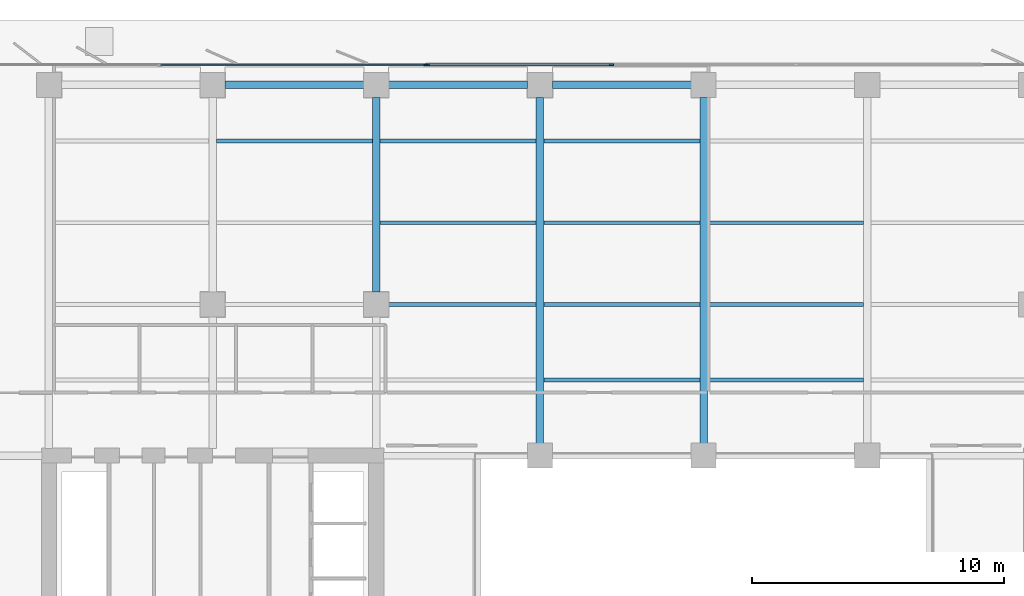
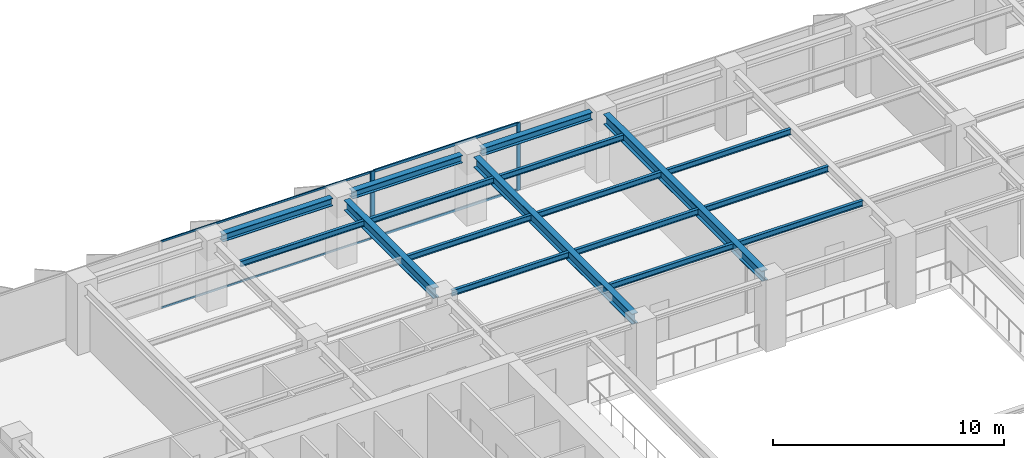
# One storey, part 9 of 22: 17 beams, 7 members, 2 elements without a shape of their own.
"""IFC4 building model written with IfcOpenShell, lengths in metres."""

from ifc_helpers import new_model, si_unit, direction, frame, origin, origin_2d, place, context, subcontext, project, spatial, rectangle, i_section, extrude, material, layer, layer_set, material_profile, profile_set, type_object, element, aggregate, save


model = new_model("IFC4")

# Units and contexts
model_context = context("Model", 3, precision=1e-05, world=origin(), true_north=direction((0.0, 1.0)))
body_context = subcontext(model_context, "Body", "Model", "MODEL_VIEW")
ifc_project = project(units=[si_unit("LENGTHUNIT", "METRE"), si_unit("AREAUNIT", "SQUARE_METRE"), si_unit("VOLUMEUNIT", "CUBIC_METRE"), si_unit("PLANEANGLEUNIT", "RADIAN"), si_unit("MASSUNIT", "GRAM", prefix="KILO")], contexts=[model_context])

# Site, building, storey
site_placement = place(None, origin())
site = spatial("IfcSite", under=ifc_project, at=site_placement, CompositionType="ELEMENT")
building_placement = place(site_placement, origin())
building = spatial("IfcBuilding", under=site, at=building_placement, Name="Putna Gate Headquarters", CompositionType="ELEMENT")
storey_placement = place(building_placement, frame((0.0, 0.0, 144.199951171875)))
storey = spatial("IfcBuildingStorey", under=building, at=storey_placement, Name="L35", CompositionType="ELEMENT", Elevation=144.199951171875)

# Beams
ifc_material_1 = material(Name="Steel S355J2", Category="steel")
ifc_material_profile_1 = material_profile(ifc_material_1, i_section(OverallWidth=0.300048828125, OverallDepth=0.550048828125, WebThickness=0.014892578125, FlangeThickness=0.029052734375, at=origin_2d()), Name="Steel S355J2")
ifc_profile_set_1 = profile_set([ifc_material_profile_1], Name="Steel S355J2")
beam_type_1 = type_object("IfcBeamType", Name="BM-GIRD-Z3-HEB550", PredefinedType="USERDEFINED", material=ifc_profile_set_1)
beam_1_placement = place(storey_placement, frame((26.0, 39.488037109375, 3.297119140625), z_axis=(0.0, 1.0, 0.0), x_axis=(-1.0, 0.0, 0.0)))
element("IfcBeam", 1, at=beam_1_placement, inside=storey, type_object=beam_type_1, Name="L35 North Primary Girder X26-2", ObjectType="GIRDER", PredefinedType="USERDEFINED", context=body_context, shape_type="SweptSolid", body=[
    extrude(i_section(OverallWidth=0.300048828125, OverallDepth=0.550048828125, WebThickness=0.014892578125, FlangeThickness=0.029052734375, at=origin_2d()), origin(), (0.0, 0.0, 1.0), 7.743896484375),
])
for number, where, z_axis, x_axis, name in (
    (2, (32.5, 33.488037109375, 3.297119140625), (0.0, 1.0, 0.0), (-1.0, 0.0, 0.0), "L35 North Primary Girder X32"),
    (3, (39.0, 33.488037109375, 3.297119140625), (0.0, 1.0, 0.0), (-1.0, 0.0, 0.0), "L35 North Primary Girder X39"),
):
    element("IfcBeam", number, at=place(storey_placement, frame(where, z_axis=z_axis, x_axis=x_axis)), inside=storey, type_object=beam_type_1, Name=name, ObjectType="GIRDER", PredefinedType="USERDEFINED", context=body_context, shape_type="SweptSolid", body=[
        extrude(i_section(OverallWidth=0.300048828125, OverallDepth=0.550048828125, WebThickness=0.014892578125, FlangeThickness=0.029052734375, at=origin_2d()), origin(), (0.0, 0.0, 1.0), 13.743896484375),
    ])
ifc_material_profile_2 = material_profile(ifc_material_1, i_section(OverallWidth=0.14990234375, OverallDepth=0.300048828125, WebThickness=0.007080078125, FlangeThickness=0.0107421875, at=origin_2d()), Name="Steel S355J2")
ifc_profile_set_2 = profile_set([ifc_material_profile_2], Name="Steel S355J2")
beam_type_2 = type_object("IfcBeamType", Name="BM-SEC-Z3-IPE300", PredefinedType="JOIST", material=ifc_profile_set_2)
beam_2_placement = place(storey_placement, frame((19.654052734375, 45.5, 3.422119140625), z_axis=(1.0, 0.0, 0.0), x_axis=(0.0, 1.0, 0.0)))
element("IfcBeam", 4, at=beam_2_placement, inside=storey, type_object=beam_type_2, Name="L35 North Secondary Beam 2", PredefinedType="JOIST", context=body_context, shape_type="SweptSolid", body=[
    extrude(i_section(OverallWidth=0.14990234375, OverallDepth=0.300048828125, WebThickness=0.007080078125, FlangeThickness=0.0107421875, at=origin_2d()), origin(), (0.0, 0.0, 1.0), 6.19189453125),
])
beam_3_placement = place(storey_placement, frame((26.488037109375, 39.0, 3.422119140625), z_axis=(1.0, 0.0, 0.0), x_axis=(0.0, 1.0, 0.0)))
element("IfcBeam", 5, at=beam_3_placement, inside=storey, type_object=beam_type_2, Name="L35 North Secondary Beam 3", PredefinedType="JOIST", context=body_context, shape_type="SweptSolid", body=[
    extrude(i_section(OverallWidth=0.14990234375, OverallDepth=0.300048828125, WebThickness=0.007080078125, FlangeThickness=0.0107421875, at=origin_2d()), origin(), (0.0, 0.0, 1.0), 5.85791015625),
])
for number, where, z_axis, x_axis, name in (
    (6, (26.154052734375, 42.25, 3.422119140625), (1.0, 0.0, 0.0), (0.0, 1.0, 0.0), "L35 North Secondary Beam 3"),
    (7, (26.154052734375, 45.5, 3.422119140625), (1.0, 0.0, 0.0), (0.0, 1.0, 0.0), "L35 North Secondary Beam 3"),
    (8, (32.654052734375, 36.0, 3.422119140625), (1.0, 0.0, 0.0), (0.0, 1.0, 0.0), "L35 North Secondary Beam 4"),
    (9, (32.654052734375, 39.0, 3.422119140625), (1.0, 0.0, 0.0), (0.0, 1.0, 0.0), "L35 North Secondary Beam 4"),
    (10, (32.654052734375, 42.25, 3.422119140625), (1.0, 0.0, 0.0), (0.0, 1.0, 0.0), "L35 North Secondary Beam 4"),
    (11, (32.654052734375, 45.5, 3.422119140625), (1.0, 0.0, 0.0), (0.0, 1.0, 0.0), "L35 North Secondary Beam 4"),
    (12, (39.154052734375, 36.0, 3.422119140625), (1.0, 0.0, 0.0), (0.0, 1.0, 0.0), "L35 North Secondary Beam 5"),
    (13, (39.154052734375, 39.0, 3.422119140625), (1.0, 0.0, 0.0), (0.0, 1.0, 0.0), "L35 North Secondary Beam 5"),
    (14, (39.154052734375, 42.25, 3.422119140625), (1.0, 0.0, 0.0), (0.0, 1.0, 0.0), "L35 North Secondary Beam 5"),
):
    element("IfcBeam", number, at=place(storey_placement, frame(where, z_axis=z_axis, x_axis=x_axis)), inside=storey, type_object=beam_type_2, Name=name, PredefinedType="JOIST", context=body_context, shape_type="SweptSolid", body=[
        extrude(i_section(OverallWidth=0.14990234375, OverallDepth=0.300048828125, WebThickness=0.007080078125, FlangeThickness=0.0107421875, at=origin_2d()), origin(), (0.0, 0.0, 1.0), 6.19189453125),
    ])
ifc_material_profile_3 = material_profile(ifc_material_1, i_section(OverallWidth=0.300048828125, OverallDepth=0.39990234375, WebThickness=0.013427734375, FlangeThickness=0.02392578125, at=origin_2d()), Name="Steel S355J2")
ifc_profile_set_3 = profile_set([ifc_material_profile_3], Name="Steel S355J2")
beam_type_3 = type_object("IfcBeamType", Name="BM-SPAN-Z3-HEB400", PredefinedType="SPANDREL", material=ifc_profile_set_3)
for number, where, z_axis, x_axis, name in (
    (15, (19.988037109375, 47.719970703125, 3.3720703125), (1.0, 0.0, 0.0), (0.0, 1.0, 0.0), "L35 N Perimeter Spandrel 2"),
    (16, (26.488037109375, 47.719970703125, 3.3720703125), (1.0, 0.0, 0.0), (0.0, 1.0, 0.0), "L35 N Perimeter Spandrel 3"),
    (17, (32.988037109375, 47.719970703125, 3.3720703125), (1.0, 0.0, 0.0), (0.0, 1.0, 0.0), "L35 N Perimeter Spandrel 4"),
):
    element("IfcBeam", number, at=place(storey_placement, frame(where, z_axis=z_axis, x_axis=x_axis)), inside=storey, type_object=beam_type_3, Name=name, PredefinedType="SPANDREL", context=body_context, shape_type="SweptSolid", body=[
        extrude(i_section(OverallWidth=0.300048828125, OverallDepth=0.39990234375, WebThickness=0.013427734375, FlangeThickness=0.02392578125, at=origin_2d()), origin(), (0.0, 0.0, 1.0), 5.52392578125),
    ])

# Curtain wall, member
ifc_material_2 = material(Name="Anodised bronze aluminium curtain wall", Category="aluminium")
ifc_layer_1 = layer(ifc_material_2, 0.159912109375)
ifc_layer_set_1 = layer_set([ifc_layer_1], Name="Anodised bronze aluminium curtain wall")
curtain_wall_type_1 = type_object("IfcCurtainWallType", Name="CW-SYS-Z3", PredefinedType="USERDEFINED", material=ifc_layer_set_1)
curtain_wall_1_placement = place(storey_placement, origin())
curtain_wall_1 = element("IfcCurtainWall", 18, at=curtain_wall_1_placement, inside=storey, type_object=curtain_wall_type_1, Name="L35 North West Curtain Wall", ObjectType="STICK CURTAIN WALL", PredefinedType="USERDEFINED")
ifc_material_3 = material(Name="Anodised bronze aluminium EN AW-6060", Category="aluminium")
ifc_material_profile_4 = material_profile(ifc_material_3, rectangle(XDim=0.06494140625, YDim=0.159912109375, at=origin_2d()), Name="Anodised bronze aluminium EN AW-6060")
ifc_profile_set_4 = profile_set([ifc_material_profile_4], Name="Anodised bronze aluminium EN AW-6060")
member_type_1 = type_object("IfcMemberType", Name="MULL-CWM-3", PredefinedType="MULLION", material=ifc_profile_set_4)
member_1_placement = place(storey_placement, frame((27.967529296875, 48.52001953125, 0.0), z_axis=(0.0, 0.0, 1.0), x_axis=(0.0, 1.0, 0.0)))
member_1 = element("IfcMember", 19, at=member_1_placement, type_object=member_type_1, Name="CWS-3 mullion 3", PredefinedType="MULLION", context=body_context, shape_type="SweptSolid", body=[
    extrude(rectangle(XDim=0.06494140625, YDim=0.159912109375, at=origin_2d()), origin(), (0.0, 0.0, 1.0), 3.572021484375),
])

# Curtain wall, members
ifc_layer_2 = layer(ifc_material_2, 0.179931640625)
ifc_layer_set_2 = layer_set([ifc_layer_2], Name="Anodised bronze aluminium curtain wall")
curtain_wall_type_2 = type_object("IfcCurtainWallType", Name="CW-SYS-ATR", PredefinedType="USERDEFINED", material=ifc_layer_set_2)
curtain_wall_2_placement = place(storey_placement, origin())
curtain_wall_2 = element("IfcCurtainWall", 20, at=curtain_wall_2_placement, inside=storey, type_object=curtain_wall_type_2, Name="L35 North Atrium Clear Glazing", ObjectType="ATRIUM GLAZING", PredefinedType="USERDEFINED")
ifc_material_profile_5 = material_profile(ifc_material_3, rectangle(XDim=0.070068359375, YDim=0.179931640625, at=origin_2d()), Name="Anodised bronze aluminium EN AW-6060")
ifc_profile_set_5 = profile_set([ifc_material_profile_5], Name="Anodised bronze aluminium EN AW-6060")
member_type_2 = type_object("IfcMemberType", Name="MULL-CWM-AT", PredefinedType="MULLION", material=ifc_profile_set_5)
member_2_placement = place(storey_placement, frame((28.034912109375, 48.52001953125, 0.0), z_axis=(0.0, 0.0, 1.0), x_axis=(0.0, 1.0, 0.0)))
member_2 = element("IfcMember", 21, at=member_2_placement, type_object=member_type_2, Name="CWS-AT mullion 1", PredefinedType="MULLION", context=body_context, shape_type="SweptSolid", body=[
    extrude(rectangle(XDim=0.070068359375, YDim=0.179931640625, at=origin_2d()), origin(), (0.0, 0.0, 1.0), 3.572021484375),
])
member_3_placement = place(storey_placement, frame((35.333251953125, 48.52001953125, 0.0), z_axis=(0.0, 0.0, 1.0), x_axis=(0.0, 1.0, 0.0)))
member_3 = element("IfcMember", 22, at=member_3_placement, type_object=member_type_2, Name="CWS-AT mullion 2", PredefinedType="MULLION", context=body_context, shape_type="SweptSolid", body=[
    extrude(rectangle(XDim=0.070068359375, YDim=0.179931640625, at=origin_2d()), origin(), (0.0, 0.0, 1.0), 3.572021484375),
])

# Member
ifc_material_profile_6 = material_profile(ifc_material_3, rectangle(XDim=0.06005859375, YDim=0.10009765625, at=origin_2d()), Name="Anodised bronze aluminium EN AW-6060")
ifc_profile_set_6 = profile_set([ifc_material_profile_6], Name="Anodised bronze aluminium EN AW-6060")
member_type_3 = type_object("IfcMemberType", Name="TRAN-CWT-3", PredefinedType="USERDEFINED", material=ifc_profile_set_6)
member_4_placement = place(storey_placement, frame((17.4326171875, 48.52001953125, 0.030029296875), z_axis=(1.0, 0.0, 0.0), x_axis=(0.0, 1.0, 0.0)))
member_4 = element("IfcMember", 23, at=member_4_placement, type_object=member_type_3, Name="CWS-3 transom 2.1", ObjectType="TRANSOM", PredefinedType="USERDEFINED", context=body_context, shape_type="SweptSolid", body=[
    extrude(rectangle(XDim=0.06005859375, YDim=0.10009765625, at=origin_2d()), origin(), (0.0, 0.0, 1.0), 10.50244140625),
])

member_5_placement = place(storey_placement, frame((17.4326171875, 48.52001953125, 3.5419921875), z_axis=(1.0, 0.0, 0.0), x_axis=(0.0, 1.0, 0.0)))
member_5 = element("IfcMember", 24, at=member_5_placement, type_object=member_type_3, Name="CWS-3 transom 2.2", ObjectType="TRANSOM", PredefinedType="USERDEFINED", context=body_context, shape_type="SweptSolid", body=[
    extrude(rectangle(XDim=0.06005859375, YDim=0.10009765625, at=origin_2d()), origin(), (0.0, 0.0, 1.0), 10.50244140625),
])

aggregate(curtain_wall_1, [member_1, member_4, member_5])

ifc_material_profile_7 = material_profile(ifc_material_3, rectangle(XDim=0.070068359375, YDim=0.139892578125, at=origin_2d()), Name="Anodised bronze aluminium EN AW-6060")
ifc_profile_set_7 = profile_set([ifc_material_profile_7], Name="Anodised bronze aluminium EN AW-6060")
member_type_4 = type_object("IfcMemberType", Name="TRAN-CWT-AT", PredefinedType="USERDEFINED", material=ifc_profile_set_7)
member_6_placement = place(storey_placement, frame((28.070068359375, 48.52001953125, 0.03515625), z_axis=(1.0, 0.0, 0.0), x_axis=(0.0, 1.0, 0.0)))
member_6 = element("IfcMember", 25, at=member_6_placement, type_object=member_type_4, Name="CWS-AT transom 1.1", ObjectType="TRANSOM", PredefinedType="USERDEFINED", context=body_context, shape_type="SweptSolid", body=[
    extrude(rectangle(XDim=0.070068359375, YDim=0.139892578125, at=origin_2d()), origin(), (0.0, 0.0, 1.0), 7.228271484375),
])

member_7_placement = place(storey_placement, frame((28.070068359375, 48.52001953125, 3.537109375), z_axis=(1.0, 0.0, 0.0), x_axis=(0.0, 1.0, 0.0)))
member_7 = element("IfcMember", 26, at=member_7_placement, type_object=member_type_4, Name="CWS-AT transom 1.2", ObjectType="TRANSOM", PredefinedType="USERDEFINED", context=body_context, shape_type="SweptSolid", body=[
    extrude(rectangle(XDim=0.070068359375, YDim=0.139892578125, at=origin_2d()), origin(), (0.0, 0.0, 1.0), 7.228271484375),
])

aggregate(curtain_wall_2, [member_2, member_3, member_6, member_7])

save(model, "model.ifc")
